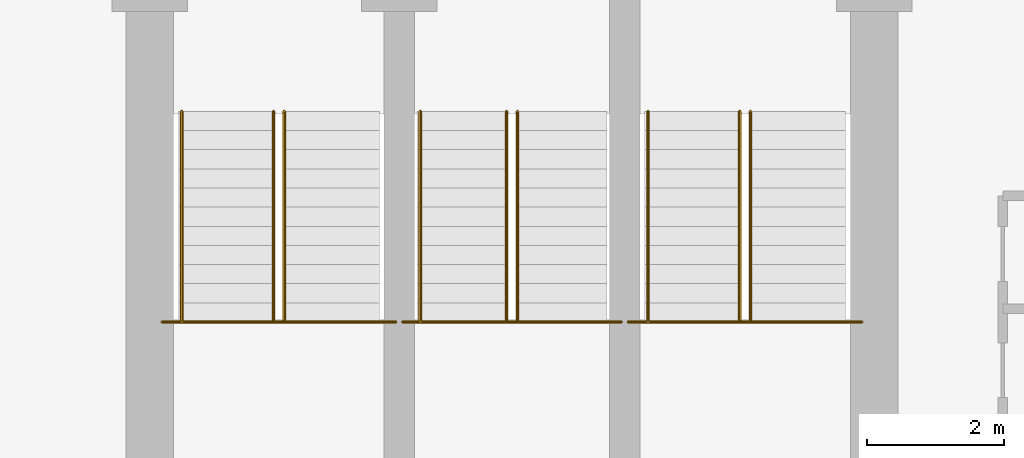
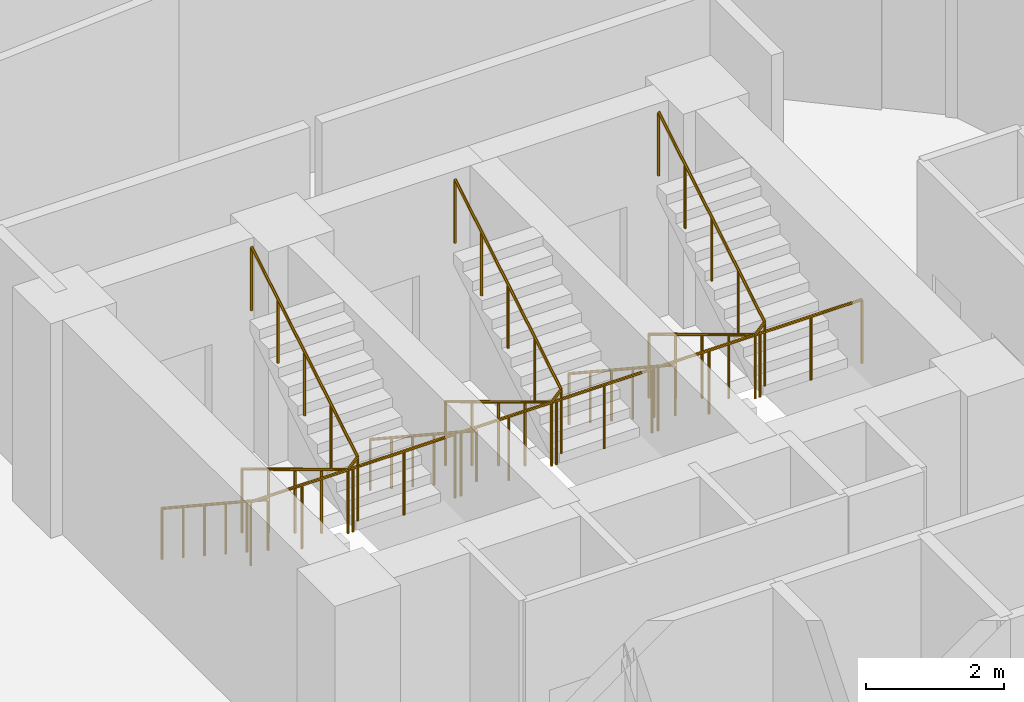
# One storey, part 25 of 25: 9 railings.
"""IFC4 building model written with IfcOpenShell, lengths in metres."""

from ifc_helpers import new_model, si_unit, direction, frame, origin, place, context, subcontext, project, spatial, polyline, outline, extrude, material, type_object, element, save


model = new_model("IFC4")

# Units and contexts
model_context = context("Model", 3, precision=1e-05, world=origin(), true_north=direction((0.0, 1.0)))
body_context = subcontext(model_context, "Body", "Model", "MODEL_VIEW")
ifc_project = project(units=[si_unit("LENGTHUNIT", "METRE"), si_unit("AREAUNIT", "SQUARE_METRE"), si_unit("VOLUMEUNIT", "CUBIC_METRE"), si_unit("PLANEANGLEUNIT", "RADIAN"), si_unit("MASSUNIT", "GRAM", prefix="KILO")], contexts=[model_context])

# Site, building, storey
site_placement = place(None, origin())
site = spatial("IfcSite", under=ifc_project, at=site_placement, CompositionType="ELEMENT")
building_placement = place(site_placement, origin())
building = spatial("IfcBuilding", under=site, at=building_placement, Name="Nuhasar Tower", CompositionType="ELEMENT")
storey_placement = place(building_placement, frame((0.0, 0.0, 65.550048828125)))
storey = spatial("IfcBuildingStorey", under=building, at=storey_placement, Name="L15", CompositionType="ELEMENT", Elevation=65.550048828125)

# Railings
ifc_material_1 = material(Name="Steel S355", Category="steel")
railing_type_1 = type_object("IfcRailingType", Name="RLG-STAIR-GUARD-1150", PredefinedType="GUARDRAIL", material=ifc_material_1)
railing_1_placement = place(storey_placement, frame((33.8798828125, 32.205078125, 2.02490234375)))
element("IfcRailing", 1, at=railing_1_placement, inside=storey, type_object=railing_type_1, Name="L15 Stair ST-01 Guardrail LND", PredefinedType="GUARDRAIL", context=body_context, shape_type="SweptSolid", body=[
    extrude(outline(polyline([(0.024169921875, 0.0), (0.01708984375, 0.01708984375), (0.0, 0.024169921875), (-0.01708984375, 0.01708984375), (-0.024169921875, 0.0), (-0.01708984375, -0.01708984375), (0.0, -0.024169921875), (0.01708984375, -0.01708984375), (0.024169921875, 0.0)])), frame((0.0, 0.0, 1.1259765625), z_axis=(1.0, 0.0, 0.0), x_axis=(0.0, 1.0, 0.0)), (0.0, 0.0, 1.0), 3.420166015625),
    extrude(outline(polyline([(0.02099609375, 0.0), (0.014892578125, 0.014892578125), (0.0, 0.02099609375), (-0.014892578125, 0.014892578125), (-0.02099609375, 0.0), (-0.014892578125, -0.014892578125), (0.0, -0.02099609375), (0.014892578125, -0.014892578125), (0.02099609375, 0.0)])), origin(), (0.0, 0.0, 1.0), 1.101806640625),
    extrude(outline(polyline([(0.02099609375, 0.0), (0.014892578125, 0.014892578125), (0.0, 0.02099609375), (-0.014892578125, 0.014892578125), (-0.02099609375, 0.0), (-0.014892578125, -0.014892578125), (0.0, -0.02099609375), (0.014892578125, -0.014892578125), (0.02099609375, 0.0)])), frame((0.85498046875, 0.0, 0.0)), (0.0, 0.0, 1.0), 1.101806640625),
    extrude(outline(polyline([(0.02099609375, 0.0), (0.014892578125, 0.014892578125), (0.0, 0.02099609375), (-0.014892578125, 0.014892578125), (-0.02099609375, 0.0), (-0.014892578125, -0.014892578125), (0.0, -0.02099609375), (0.014892578125, -0.014892578125), (0.02099609375, 0.0)])), frame((1.7099609375, 0.0, 0.0)), (0.0, 0.0, 1.0), 1.101806640625),
    extrude(outline(polyline([(0.02099609375, 0.0), (0.014892578125, 0.014892578125), (0.0, 0.02099609375), (-0.014892578125, 0.014892578125), (-0.02099609375, 0.0), (-0.014892578125, -0.014892578125), (0.0, -0.02099609375), (0.014892578125, -0.014892578125), (0.02099609375, 0.0)])), frame((2.565185546875, 0.0, 0.0)), (0.0, 0.0, 1.0), 1.101806640625),
    extrude(outline(polyline([(0.02099609375, 0.0), (0.014892578125, 0.014892578125), (0.0, 0.02099609375), (-0.014892578125, 0.014892578125), (-0.02099609375, 0.0), (-0.014892578125, -0.014892578125), (0.0, -0.02099609375), (0.014892578125, -0.014892578125), (0.02099609375, 0.0)])), frame((3.420166015625, 0.0, 0.0)), (0.0, 0.0, 1.0), 1.101806640625),
])
railing_2_placement = place(storey_placement, frame((35.510009765625, 35.284912109375, 0.1689453125)))
element("IfcRailing", 2, at=railing_2_placement, inside=storey, type_object=railing_type_1, Name="L15 Stair ST-01 Guardrail SLT", PredefinedType="GUARDRAIL", context=body_context, shape_type="SweptSolid", body=[
    extrude(outline(polyline([(0.024169921875, 0.0), (0.01708984375, 0.01708984375), (0.0, 0.024169921875), (-0.01708984375, 0.01708984375), (-0.024169921875, 0.0), (-0.01708984375, -0.01708984375), (0.0, -0.024169921875), (0.01708984375, -0.01708984375), (0.024169921875, 0.0)])), frame((0.0, 0.0, 1.1259765625), z_axis=(0.0, -0.856502863198, 0.516142272377), x_axis=(1.0, 0.0, 0.0)), (0.0, 0.0, 1.0), 3.595703125),
    extrude(outline(polyline([(0.024169921875, 0.0), (0.01708984375, 0.01708984375), (0.0, 0.024169921875), (-0.01708984375, 0.01708984375), (-0.024169921875, 0.0), (-0.01708984375, -0.01708984375), (0.0, -0.024169921875), (0.01708984375, -0.01708984375), (0.024169921875, 0.0)])), frame((0.0, -3.079833984375, 2.98193359375), z_axis=(0.687424367727, 0.0, 0.726255973232), x_axis=(0.0, 1.0, 0.0)), (0.0, 0.0, 1.0), 0.232666015625),
    extrude(outline(polyline([(0.024169921875, 0.0), (0.01708984375, 0.01708984375), (0.0, 0.024169921875), (-0.01708984375, 0.01708984375), (-0.024169921875, 0.0), (-0.01708984375, -0.01708984375), (0.0, -0.024169921875), (0.01708984375, -0.01708984375), (0.024169921875, 0.0)])), frame((0.159912109375, -3.079833984375, 3.15087890625), z_axis=(0.0, 0.8564728477, 0.51619207777), x_axis=(-1.0, 0.0, 0.0)), (0.0, 0.0, 1.0), 3.595947265625),
    extrude(outline(polyline([(0.02099609375, 0.0), (0.014892578125, 0.014892578125), (0.0, 0.02099609375), (-0.014892578125, 0.014892578125), (-0.02099609375, 0.0), (-0.014892578125, -0.014892578125), (0.0, -0.02099609375), (0.014892578125, -0.014892578125), (0.02099609375, 0.0)])), origin(), (0.0, 0.0, 1.0), 1.101806640625),
    extrude(outline(polyline([(0.02099609375, 0.0), (0.014892578125, 0.014892578125), (0.0, 0.02099609375), (-0.014892578125, 0.014892578125), (-0.02099609375, 0.0), (-0.014892578125, -0.014892578125), (0.0, -0.02099609375), (0.014892578125, -0.014892578125), (0.02099609375, 0.0)])), frame((0.0, -0.77001953125, 0.4638671875)), (0.0, 0.0, 1.0), 1.101806640625),
    extrude(outline(polyline([(0.02099609375, 0.0), (0.014892578125, 0.014892578125), (0.0, 0.02099609375), (-0.014892578125, 0.014892578125), (-0.02099609375, 0.0), (-0.014892578125, -0.014892578125), (0.0, -0.02099609375), (0.014892578125, -0.014892578125), (0.02099609375, 0.0)])), frame((0.0, -1.5400390625, 0.927978515625)), (0.0, 0.0, 1.0), 1.101806640625),
    extrude(outline(polyline([(0.02099609375, 0.0), (0.014892578125, 0.014892578125), (0.0, 0.02099609375), (-0.014892578125, 0.014892578125), (-0.02099609375, 0.0), (-0.014892578125, -0.014892578125), (0.0, -0.02099609375), (0.014892578125, -0.014892578125), (0.02099609375, 0.0)])), frame((0.0, -2.309814453125, 1.39208984375)), (0.0, 0.0, 1.0), 1.101806640625),
    extrude(outline(polyline([(0.02099609375, 0.0), (0.014892578125, 0.014892578125), (0.0, 0.02099609375), (-0.014892578125, 0.014892578125), (-0.02099609375, 0.0), (-0.014892578125, -0.014892578125), (0.0, -0.02099609375), (0.014892578125, -0.014892578125), (0.02099609375, 0.0)])), frame((0.0, -3.079833984375, 1.85595703125)), (0.0, 0.0, 1.0), 1.101806640625),
    extrude(outline(polyline([(0.02099609375, 0.0), (0.014892578125, 0.014892578125), (0.0, 0.02099609375), (-0.014892578125, 0.014892578125), (-0.02099609375, 0.0), (-0.014892578125, -0.014892578125), (0.0, -0.02099609375), (0.014892578125, -0.014892578125), (0.02099609375, 0.0)])), frame((0.159912109375, -3.079833984375, 2.02490234375)), (0.0, 0.0, 1.0), 1.101806640625),
    extrude(outline(polyline([(0.02099609375, 0.0), (0.014892578125, 0.014892578125), (0.0, 0.02099609375), (-0.014892578125, 0.014892578125), (-0.02099609375, 0.0), (-0.014892578125, -0.014892578125), (0.0, -0.02099609375), (0.014892578125, -0.014892578125), (0.02099609375, 0.0)])), frame((0.159912109375, -2.309814453125, 2.489013671875)), (0.0, 0.0, 1.0), 1.101806640625),
    extrude(outline(polyline([(0.02099609375, 0.0), (0.014892578125, 0.014892578125), (0.0, 0.02099609375), (-0.014892578125, 0.014892578125), (-0.02099609375, 0.0), (-0.014892578125, -0.014892578125), (0.0, -0.02099609375), (0.014892578125, -0.014892578125), (0.02099609375, 0.0)])), frame((0.159912109375, -1.5400390625, 2.953125)), (0.0, 0.0, 1.0), 1.101806640625),
    extrude(outline(polyline([(0.02099609375, 0.0), (0.014892578125, 0.014892578125), (0.0, 0.02099609375), (-0.014892578125, 0.014892578125), (-0.02099609375, 0.0), (-0.014892578125, -0.014892578125), (0.0, -0.02099609375), (0.014892578125, -0.014892578125), (0.02099609375, 0.0)])), frame((0.159912109375, -0.77001953125, 3.4169921875)), (0.0, 0.0, 1.0), 1.101806640625),
    extrude(outline(polyline([(0.02099609375, 0.0), (0.014892578125, 0.014892578125), (0.0, 0.02099609375), (-0.014892578125, 0.014892578125), (-0.02099609375, 0.0), (-0.014892578125, -0.014892578125), (0.0, -0.02099609375), (0.014892578125, -0.014892578125), (0.02099609375, 0.0)])), frame((0.159912109375, 0.0, 3.881103515625)), (0.0, 0.0, 1.0), 1.101806640625),
])
railing_3_placement = place(storey_placement, frame((37.39990234375, 32.205078125, 2.02490234375)))
element("IfcRailing", 3, at=railing_3_placement, inside=storey, type_object=railing_type_1, Name="L15 Stair ST-03 Guardrail LND", PredefinedType="GUARDRAIL", context=body_context, shape_type="SweptSolid", body=[
    extrude(outline(polyline([(0.024169921875, 0.0), (0.01708984375, 0.01708984375), (0.0, 0.024169921875), (-0.01708984375, 0.01708984375), (-0.024169921875, 0.0), (-0.01708984375, -0.01708984375), (0.0, -0.024169921875), (0.01708984375, -0.01708984375), (0.024169921875, 0.0)])), frame((0.0, 0.0, 1.1259765625), z_axis=(1.0, 0.0, 0.0), x_axis=(0.0, 1.0, 0.0)), (0.0, 0.0, 1.0), 3.2001953125),
    extrude(outline(polyline([(0.02099609375, 0.0), (0.014892578125, 0.014892578125), (0.0, 0.02099609375), (-0.014892578125, 0.014892578125), (-0.02099609375, 0.0), (-0.014892578125, -0.014892578125), (0.0, -0.02099609375), (0.014892578125, -0.014892578125), (0.02099609375, 0.0)])), origin(), (0.0, 0.0, 1.0), 1.101806640625),
    extrude(outline(polyline([(0.02099609375, 0.0), (0.014892578125, 0.014892578125), (0.0, 0.02099609375), (-0.014892578125, 0.014892578125), (-0.02099609375, 0.0), (-0.014892578125, -0.014892578125), (0.0, -0.02099609375), (0.014892578125, -0.014892578125), (0.02099609375, 0.0)])), frame((0.800048828125, 0.0, 0.0)), (0.0, 0.0, 1.0), 1.101806640625),
    extrude(outline(polyline([(0.02099609375, 0.0), (0.014892578125, 0.014892578125), (0.0, 0.02099609375), (-0.014892578125, 0.014892578125), (-0.02099609375, 0.0), (-0.014892578125, -0.014892578125), (0.0, -0.02099609375), (0.014892578125, -0.014892578125), (0.02099609375, 0.0)])), frame((1.60009765625, 0.0, 0.0)), (0.0, 0.0, 1.0), 1.101806640625),
    extrude(outline(polyline([(0.02099609375, 0.0), (0.014892578125, 0.014892578125), (0.0, 0.02099609375), (-0.014892578125, 0.014892578125), (-0.02099609375, 0.0), (-0.014892578125, -0.014892578125), (0.0, -0.02099609375), (0.014892578125, -0.014892578125), (0.02099609375, 0.0)])), frame((2.400146484375, 0.0, 0.0)), (0.0, 0.0, 1.0), 1.101806640625),
    extrude(outline(polyline([(0.02099609375, 0.0), (0.014892578125, 0.014892578125), (0.0, 0.02099609375), (-0.014892578125, 0.014892578125), (-0.02099609375, 0.0), (-0.014892578125, -0.014892578125), (0.0, -0.02099609375), (0.014892578125, -0.014892578125), (0.02099609375, 0.0)])), frame((3.2001953125, 0.0, 0.0)), (0.0, 0.0, 1.0), 1.101806640625),
])
railing_4_placement = place(storey_placement, frame((38.919921875, 35.284912109375, 0.1689453125)))
element("IfcRailing", 4, at=railing_4_placement, inside=storey, type_object=railing_type_1, Name="L15 Stair ST-03 Guardrail SLT", PredefinedType="GUARDRAIL", context=body_context, shape_type="SweptSolid", body=[
    extrude(outline(polyline([(0.024169921875, 0.0), (0.01708984375, 0.01708984375), (0.0, 0.024169921875), (-0.01708984375, 0.01708984375), (-0.024169921875, 0.0), (-0.01708984375, -0.01708984375), (0.0, -0.024169921875), (0.01708984375, -0.01708984375), (0.024169921875, 0.0)])), frame((0.0, 0.0, 1.1259765625), z_axis=(0.0, -0.856502863198, 0.516142272377), x_axis=(1.0, 0.0, 0.0)), (0.0, 0.0, 1.0), 3.595703125),
    extrude(outline(polyline([(0.024169921875, 0.0), (0.01708984375, 0.01708984375), (0.0, 0.024169921875), (-0.01708984375, 0.01708984375), (-0.024169921875, 0.0), (-0.01708984375, -0.01708984375), (0.0, -0.024169921875), (0.01708984375, -0.01708984375), (0.024169921875, 0.0)])), frame((0.0, -3.079833984375, 2.98193359375), z_axis=(0.687977326998, 0.0, 0.725732180309), x_axis=(0.0, 1.0, 0.0)), (0.0, 0.0, 1.0), 0.23291015625),
    extrude(outline(polyline([(0.024169921875, 0.0), (0.01708984375, 0.01708984375), (0.0, 0.024169921875), (-0.01708984375, 0.01708984375), (-0.024169921875, 0.0), (-0.01708984375, -0.01708984375), (0.0, -0.024169921875), (0.01708984375, -0.01708984375), (0.024169921875, 0.0)])), frame((0.16015625, -3.079833984375, 3.15087890625), z_axis=(0.0, 0.8564728477, 0.51619207777), x_axis=(-1.0, 0.0, 0.0)), (0.0, 0.0, 1.0), 3.595947265625),
    extrude(outline(polyline([(0.02099609375, 0.0), (0.014892578125, 0.014892578125), (0.0, 0.02099609375), (-0.014892578125, 0.014892578125), (-0.02099609375, 0.0), (-0.014892578125, -0.014892578125), (0.0, -0.02099609375), (0.014892578125, -0.014892578125), (0.02099609375, 0.0)])), origin(), (0.0, 0.0, 1.0), 1.101806640625),
    extrude(outline(polyline([(0.02099609375, 0.0), (0.014892578125, 0.014892578125), (0.0, 0.02099609375), (-0.014892578125, 0.014892578125), (-0.02099609375, 0.0), (-0.014892578125, -0.014892578125), (0.0, -0.02099609375), (0.014892578125, -0.014892578125), (0.02099609375, 0.0)])), frame((0.0, -0.77001953125, 0.4638671875)), (0.0, 0.0, 1.0), 1.101806640625),
    extrude(outline(polyline([(0.02099609375, 0.0), (0.014892578125, 0.014892578125), (0.0, 0.02099609375), (-0.014892578125, 0.014892578125), (-0.02099609375, 0.0), (-0.014892578125, -0.014892578125), (0.0, -0.02099609375), (0.014892578125, -0.014892578125), (0.02099609375, 0.0)])), frame((0.0, -1.5400390625, 0.927978515625)), (0.0, 0.0, 1.0), 1.101806640625),
    extrude(outline(polyline([(0.02099609375, 0.0), (0.014892578125, 0.014892578125), (0.0, 0.02099609375), (-0.014892578125, 0.014892578125), (-0.02099609375, 0.0), (-0.014892578125, -0.014892578125), (0.0, -0.02099609375), (0.014892578125, -0.014892578125), (0.02099609375, 0.0)])), frame((0.0, -2.309814453125, 1.39208984375)), (0.0, 0.0, 1.0), 1.101806640625),
    extrude(outline(polyline([(0.02099609375, 0.0), (0.014892578125, 0.014892578125), (0.0, 0.02099609375), (-0.014892578125, 0.014892578125), (-0.02099609375, 0.0), (-0.014892578125, -0.014892578125), (0.0, -0.02099609375), (0.014892578125, -0.014892578125), (0.02099609375, 0.0)])), frame((0.0, -3.079833984375, 1.85595703125)), (0.0, 0.0, 1.0), 1.101806640625),
    extrude(outline(polyline([(0.02099609375, 0.0), (0.014892578125, 0.014892578125), (0.0, 0.02099609375), (-0.014892578125, 0.014892578125), (-0.02099609375, 0.0), (-0.014892578125, -0.014892578125), (0.0, -0.02099609375), (0.014892578125, -0.014892578125), (0.02099609375, 0.0)])), frame((0.16015625, -3.079833984375, 2.02490234375)), (0.0, 0.0, 1.0), 1.101806640625),
    extrude(outline(polyline([(0.02099609375, 0.0), (0.014892578125, 0.014892578125), (0.0, 0.02099609375), (-0.014892578125, 0.014892578125), (-0.02099609375, 0.0), (-0.014892578125, -0.014892578125), (0.0, -0.02099609375), (0.014892578125, -0.014892578125), (0.02099609375, 0.0)])), frame((0.16015625, -2.309814453125, 2.489013671875)), (0.0, 0.0, 1.0), 1.101806640625),
    extrude(outline(polyline([(0.02099609375, 0.0), (0.014892578125, 0.014892578125), (0.0, 0.02099609375), (-0.014892578125, 0.014892578125), (-0.02099609375, 0.0), (-0.014892578125, -0.014892578125), (0.0, -0.02099609375), (0.014892578125, -0.014892578125), (0.02099609375, 0.0)])), frame((0.16015625, -1.5400390625, 2.953125)), (0.0, 0.0, 1.0), 1.101806640625),
    extrude(outline(polyline([(0.02099609375, 0.0), (0.014892578125, 0.014892578125), (0.0, 0.02099609375), (-0.014892578125, 0.014892578125), (-0.02099609375, 0.0), (-0.014892578125, -0.014892578125), (0.0, -0.02099609375), (0.014892578125, -0.014892578125), (0.02099609375, 0.0)])), frame((0.16015625, -0.77001953125, 3.4169921875)), (0.0, 0.0, 1.0), 1.101806640625),
    extrude(outline(polyline([(0.02099609375, 0.0), (0.014892578125, 0.014892578125), (0.0, 0.02099609375), (-0.014892578125, 0.014892578125), (-0.02099609375, 0.0), (-0.014892578125, -0.014892578125), (0.0, -0.02099609375), (0.014892578125, -0.014892578125), (0.02099609375, 0.0)])), frame((0.16015625, 0.0, 3.881103515625)), (0.0, 0.0, 1.0), 1.101806640625),
])
railing_5_placement = place(storey_placement, frame((40.699951171875, 32.205078125, 2.02490234375)))
element("IfcRailing", 5, at=railing_5_placement, inside=storey, type_object=railing_type_1, Name="L15 Stair ST-02 Guardrail LND", PredefinedType="GUARDRAIL", context=body_context, shape_type="SweptSolid", body=[
    extrude(outline(polyline([(0.024169921875, 0.0), (0.01708984375, 0.01708984375), (0.0, 0.024169921875), (-0.01708984375, 0.01708984375), (-0.024169921875, 0.0), (-0.01708984375, -0.01708984375), (0.0, -0.024169921875), (0.01708984375, -0.01708984375), (0.024169921875, 0.0)])), frame((0.0, 0.0, 1.1259765625), z_axis=(1.0, 0.0, 0.0), x_axis=(0.0, 1.0, 0.0)), (0.0, 0.0, 1.0), 3.420166015625),
    extrude(outline(polyline([(0.02099609375, 0.0), (0.014892578125, 0.014892578125), (0.0, 0.02099609375), (-0.014892578125, 0.014892578125), (-0.02099609375, 0.0), (-0.014892578125, -0.014892578125), (0.0, -0.02099609375), (0.014892578125, -0.014892578125), (0.02099609375, 0.0)])), origin(), (0.0, 0.0, 1.0), 1.101806640625),
    extrude(outline(polyline([(0.02099609375, 0.0), (0.014892578125, 0.014892578125), (0.0, 0.02099609375), (-0.014892578125, 0.014892578125), (-0.02099609375, 0.0), (-0.014892578125, -0.014892578125), (0.0, -0.02099609375), (0.014892578125, -0.014892578125), (0.02099609375, 0.0)])), frame((0.85498046875, 0.0, 0.0)), (0.0, 0.0, 1.0), 1.101806640625),
    extrude(outline(polyline([(0.02099609375, 0.0), (0.014892578125, 0.014892578125), (0.0, 0.02099609375), (-0.014892578125, 0.014892578125), (-0.02099609375, 0.0), (-0.014892578125, -0.014892578125), (0.0, -0.02099609375), (0.014892578125, -0.014892578125), (0.02099609375, 0.0)])), frame((1.7099609375, 0.0, 0.0)), (0.0, 0.0, 1.0), 1.101806640625),
    extrude(outline(polyline([(0.02099609375, 0.0), (0.014892578125, 0.014892578125), (0.0, 0.02099609375), (-0.014892578125, 0.014892578125), (-0.02099609375, 0.0), (-0.014892578125, -0.014892578125), (0.0, -0.02099609375), (0.014892578125, -0.014892578125), (0.02099609375, 0.0)])), frame((2.565185546875, 0.0, 0.0)), (0.0, 0.0, 1.0), 1.101806640625),
    extrude(outline(polyline([(0.02099609375, 0.0), (0.014892578125, 0.014892578125), (0.0, 0.02099609375), (-0.014892578125, 0.014892578125), (-0.02099609375, 0.0), (-0.014892578125, -0.014892578125), (0.0, -0.02099609375), (0.014892578125, -0.014892578125), (0.02099609375, 0.0)])), frame((3.420166015625, 0.0, 0.0)), (0.0, 0.0, 1.0), 1.101806640625),
])
railing_6_placement = place(storey_placement, frame((42.330078125, 35.284912109375, 0.1689453125)))
element("IfcRailing", 6, at=railing_6_placement, inside=storey, type_object=railing_type_1, Name="L15 Stair ST-02 Guardrail SLT", PredefinedType="GUARDRAIL", context=body_context, shape_type="SweptSolid", body=[
    extrude(outline(polyline([(0.024169921875, 0.0), (0.01708984375, 0.01708984375), (0.0, 0.024169921875), (-0.01708984375, 0.01708984375), (-0.024169921875, 0.0), (-0.01708984375, -0.01708984375), (0.0, -0.024169921875), (0.01708984375, -0.01708984375), (0.024169921875, 0.0)])), frame((0.0, 0.0, 1.1259765625), z_axis=(0.0, -0.856502863198, 0.516142272377), x_axis=(1.0, 0.0, 0.0)), (0.0, 0.0, 1.0), 3.595703125),
    extrude(outline(polyline([(0.024169921875, 0.0), (0.01708984375, 0.01708984375), (0.0, 0.024169921875), (-0.01708984375, 0.01708984375), (-0.024169921875, 0.0), (-0.01708984375, -0.01708984375), (0.0, -0.024169921875), (0.01708984375, -0.01708984375), (0.024169921875, 0.0)])), frame((0.0, -3.079833984375, 2.98193359375), z_axis=(0.687424367727, 0.0, 0.726255973232), x_axis=(0.0, 1.0, 0.0)), (0.0, 0.0, 1.0), 0.232666015625),
    extrude(outline(polyline([(0.024169921875, 0.0), (0.01708984375, 0.01708984375), (0.0, 0.024169921875), (-0.01708984375, 0.01708984375), (-0.024169921875, 0.0), (-0.01708984375, -0.01708984375), (0.0, -0.024169921875), (0.01708984375, -0.01708984375), (0.024169921875, 0.0)])), frame((0.159912109375, -3.079833984375, 3.15087890625), z_axis=(0.0, 0.8564728477, 0.51619207777), x_axis=(-1.0, 0.0, 0.0)), (0.0, 0.0, 1.0), 3.595947265625),
    extrude(outline(polyline([(0.02099609375, 0.0), (0.014892578125, 0.014892578125), (0.0, 0.02099609375), (-0.014892578125, 0.014892578125), (-0.02099609375, 0.0), (-0.014892578125, -0.014892578125), (0.0, -0.02099609375), (0.014892578125, -0.014892578125), (0.02099609375, 0.0)])), origin(), (0.0, 0.0, 1.0), 1.101806640625),
    extrude(outline(polyline([(0.02099609375, 0.0), (0.014892578125, 0.014892578125), (0.0, 0.02099609375), (-0.014892578125, 0.014892578125), (-0.02099609375, 0.0), (-0.014892578125, -0.014892578125), (0.0, -0.02099609375), (0.014892578125, -0.014892578125), (0.02099609375, 0.0)])), frame((0.0, -0.77001953125, 0.4638671875)), (0.0, 0.0, 1.0), 1.101806640625),
    extrude(outline(polyline([(0.02099609375, 0.0), (0.014892578125, 0.014892578125), (0.0, 0.02099609375), (-0.014892578125, 0.014892578125), (-0.02099609375, 0.0), (-0.014892578125, -0.014892578125), (0.0, -0.02099609375), (0.014892578125, -0.014892578125), (0.02099609375, 0.0)])), frame((0.0, -1.5400390625, 0.927978515625)), (0.0, 0.0, 1.0), 1.101806640625),
    extrude(outline(polyline([(0.02099609375, 0.0), (0.014892578125, 0.014892578125), (0.0, 0.02099609375), (-0.014892578125, 0.014892578125), (-0.02099609375, 0.0), (-0.014892578125, -0.014892578125), (0.0, -0.02099609375), (0.014892578125, -0.014892578125), (0.02099609375, 0.0)])), frame((0.0, -2.309814453125, 1.39208984375)), (0.0, 0.0, 1.0), 1.101806640625),
    extrude(outline(polyline([(0.02099609375, 0.0), (0.014892578125, 0.014892578125), (0.0, 0.02099609375), (-0.014892578125, 0.014892578125), (-0.02099609375, 0.0), (-0.014892578125, -0.014892578125), (0.0, -0.02099609375), (0.014892578125, -0.014892578125), (0.02099609375, 0.0)])), frame((0.0, -3.079833984375, 1.85595703125)), (0.0, 0.0, 1.0), 1.101806640625),
    extrude(outline(polyline([(0.02099609375, 0.0), (0.014892578125, 0.014892578125), (0.0, 0.02099609375), (-0.014892578125, 0.014892578125), (-0.02099609375, 0.0), (-0.014892578125, -0.014892578125), (0.0, -0.02099609375), (0.014892578125, -0.014892578125), (0.02099609375, 0.0)])), frame((0.159912109375, -3.079833984375, 2.02490234375)), (0.0, 0.0, 1.0), 1.101806640625),
    extrude(outline(polyline([(0.02099609375, 0.0), (0.014892578125, 0.014892578125), (0.0, 0.02099609375), (-0.014892578125, 0.014892578125), (-0.02099609375, 0.0), (-0.014892578125, -0.014892578125), (0.0, -0.02099609375), (0.014892578125, -0.014892578125), (0.02099609375, 0.0)])), frame((0.159912109375, -2.309814453125, 2.489013671875)), (0.0, 0.0, 1.0), 1.101806640625),
    extrude(outline(polyline([(0.02099609375, 0.0), (0.014892578125, 0.014892578125), (0.0, 0.02099609375), (-0.014892578125, 0.014892578125), (-0.02099609375, 0.0), (-0.014892578125, -0.014892578125), (0.0, -0.02099609375), (0.014892578125, -0.014892578125), (0.02099609375, 0.0)])), frame((0.159912109375, -1.5400390625, 2.953125)), (0.0, 0.0, 1.0), 1.101806640625),
    extrude(outline(polyline([(0.02099609375, 0.0), (0.014892578125, 0.014892578125), (0.0, 0.02099609375), (-0.014892578125, 0.014892578125), (-0.02099609375, 0.0), (-0.014892578125, -0.014892578125), (0.0, -0.02099609375), (0.014892578125, -0.014892578125), (0.02099609375, 0.0)])), frame((0.159912109375, -0.77001953125, 3.4169921875)), (0.0, 0.0, 1.0), 1.101806640625),
    extrude(outline(polyline([(0.02099609375, 0.0), (0.014892578125, 0.014892578125), (0.0, 0.02099609375), (-0.014892578125, 0.014892578125), (-0.02099609375, 0.0), (-0.014892578125, -0.014892578125), (0.0, -0.02099609375), (0.014892578125, -0.014892578125), (0.02099609375, 0.0)])), frame((0.159912109375, 0.0, 3.881103515625)), (0.0, 0.0, 1.0), 1.101806640625),
])
ifc_material_2 = material(Name="Stainless Steel 316L", Category="steel")
railing_type_2 = type_object("IfcRailingType", Name="RLG-STAIR-HAND-920", PredefinedType="HANDRAIL", material=ifc_material_2)
railing_7_placement = place(storey_placement, frame((34.169921875, 35.284912109375, 0.1689453125)))
element("IfcRailing", 7, at=railing_7_placement, inside=storey, type_object=railing_type_2, Name="L15 Stair ST-01 Handrail HND1", PredefinedType="HANDRAIL", context=body_context, shape_type="SweptSolid", body=[
    extrude(outline(polyline([(0.024169921875, 0.0), (0.01708984375, 0.01708984375), (0.0, 0.024169921875), (-0.01708984375, 0.01708984375), (-0.024169921875, 0.0), (-0.01708984375, -0.01708984375), (0.0, -0.024169921875), (0.01708984375, -0.01708984375), (0.024169921875, 0.0)])), frame((0.0, 0.0, 0.89599609375), z_axis=(0.0, -0.83557951683, 0.54936952141), x_axis=(1.0, 0.0, 0.0)), (0.0, 0.0, 1.0), 3.685791015625),
    extrude(outline(polyline([(0.02099609375, 0.0), (0.014892578125, 0.014892578125), (0.0, 0.02099609375), (-0.014892578125, 0.014892578125), (-0.02099609375, 0.0), (-0.014892578125, -0.014892578125), (0.0, -0.02099609375), (0.014892578125, -0.014892578125), (0.02099609375, 0.0)])), origin(), (0.0, 0.0, 1.0), 0.871826171875),
    extrude(outline(polyline([(0.02099609375, 0.0), (0.014892578125, 0.014892578125), (0.0, 0.02099609375), (-0.014892578125, 0.014892578125), (-0.02099609375, 0.0), (-0.014892578125, -0.014892578125), (0.0, -0.02099609375), (0.014892578125, -0.014892578125), (0.02099609375, 0.0)])), frame((0.0, -0.615966796875, 0.405029296875)), (0.0, 0.0, 1.0), 0.871826171875),
    extrude(outline(polyline([(0.02099609375, 0.0), (0.014892578125, 0.014892578125), (0.0, 0.02099609375), (-0.014892578125, 0.014892578125), (-0.02099609375, 0.0), (-0.014892578125, -0.014892578125), (0.0, -0.02099609375), (0.014892578125, -0.014892578125), (0.02099609375, 0.0)])), frame((0.0, -1.23193359375, 0.81005859375)), (0.0, 0.0, 1.0), 0.871826171875),
    extrude(outline(polyline([(0.02099609375, 0.0), (0.014892578125, 0.014892578125), (0.0, 0.02099609375), (-0.014892578125, 0.014892578125), (-0.02099609375, 0.0), (-0.014892578125, -0.014892578125), (0.0, -0.02099609375), (0.014892578125, -0.014892578125), (0.02099609375, 0.0)])), frame((0.0, -1.847900390625, 1.21484375)), (0.0, 0.0, 1.0), 0.871826171875),
    extrude(outline(polyline([(0.02099609375, 0.0), (0.014892578125, 0.014892578125), (0.0, 0.02099609375), (-0.014892578125, 0.014892578125), (-0.02099609375, 0.0), (-0.014892578125, -0.014892578125), (0.0, -0.02099609375), (0.014892578125, -0.014892578125), (0.02099609375, 0.0)])), frame((0.0, -2.4638671875, 1.619873046875)), (0.0, 0.0, 1.0), 0.871826171875),
    extrude(outline(polyline([(0.02099609375, 0.0), (0.014892578125, 0.014892578125), (0.0, 0.02099609375), (-0.014892578125, 0.014892578125), (-0.02099609375, 0.0), (-0.014892578125, -0.014892578125), (0.0, -0.02099609375), (0.014892578125, -0.014892578125), (0.02099609375, 0.0)])), frame((0.0, -3.079833984375, 2.02490234375)), (0.0, 0.0, 1.0), 0.871826171875),
])
railing_8_placement = place(storey_placement, frame((37.659912109375, 35.284912109375, 0.1689453125)))
element("IfcRailing", 8, at=railing_8_placement, inside=storey, type_object=railing_type_2, Name="L15 Stair ST-03 Handrail HND1", PredefinedType="HANDRAIL", context=body_context, shape_type="SweptSolid", body=[
    extrude(outline(polyline([(0.024169921875, 0.0), (0.01708984375, 0.01708984375), (0.0, 0.024169921875), (-0.01708984375, 0.01708984375), (-0.024169921875, 0.0), (-0.01708984375, -0.01708984375), (0.0, -0.024169921875), (0.01708984375, -0.01708984375), (0.024169921875, 0.0)])), frame((0.0, 0.0, 0.89599609375), z_axis=(0.0, -0.83557951683, 0.54936952141), x_axis=(1.0, 0.0, 0.0)), (0.0, 0.0, 1.0), 3.685791015625),
    extrude(outline(polyline([(0.02099609375, 0.0), (0.014892578125, 0.014892578125), (0.0, 0.02099609375), (-0.014892578125, 0.014892578125), (-0.02099609375, 0.0), (-0.014892578125, -0.014892578125), (0.0, -0.02099609375), (0.014892578125, -0.014892578125), (0.02099609375, 0.0)])), origin(), (0.0, 0.0, 1.0), 0.871826171875),
    extrude(outline(polyline([(0.02099609375, 0.0), (0.014892578125, 0.014892578125), (0.0, 0.02099609375), (-0.014892578125, 0.014892578125), (-0.02099609375, 0.0), (-0.014892578125, -0.014892578125), (0.0, -0.02099609375), (0.014892578125, -0.014892578125), (0.02099609375, 0.0)])), frame((0.0, -0.615966796875, 0.405029296875)), (0.0, 0.0, 1.0), 0.871826171875),
    extrude(outline(polyline([(0.02099609375, 0.0), (0.014892578125, 0.014892578125), (0.0, 0.02099609375), (-0.014892578125, 0.014892578125), (-0.02099609375, 0.0), (-0.014892578125, -0.014892578125), (0.0, -0.02099609375), (0.014892578125, -0.014892578125), (0.02099609375, 0.0)])), frame((0.0, -1.23193359375, 0.81005859375)), (0.0, 0.0, 1.0), 0.871826171875),
    extrude(outline(polyline([(0.02099609375, 0.0), (0.014892578125, 0.014892578125), (0.0, 0.02099609375), (-0.014892578125, 0.014892578125), (-0.02099609375, 0.0), (-0.014892578125, -0.014892578125), (0.0, -0.02099609375), (0.014892578125, -0.014892578125), (0.02099609375, 0.0)])), frame((0.0, -1.847900390625, 1.21484375)), (0.0, 0.0, 1.0), 0.871826171875),
    extrude(outline(polyline([(0.02099609375, 0.0), (0.014892578125, 0.014892578125), (0.0, 0.02099609375), (-0.014892578125, 0.014892578125), (-0.02099609375, 0.0), (-0.014892578125, -0.014892578125), (0.0, -0.02099609375), (0.014892578125, -0.014892578125), (0.02099609375, 0.0)])), frame((0.0, -2.4638671875, 1.619873046875)), (0.0, 0.0, 1.0), 0.871826171875),
    extrude(outline(polyline([(0.02099609375, 0.0), (0.014892578125, 0.014892578125), (0.0, 0.02099609375), (-0.014892578125, 0.014892578125), (-0.02099609375, 0.0), (-0.014892578125, -0.014892578125), (0.0, -0.02099609375), (0.014892578125, -0.014892578125), (0.02099609375, 0.0)])), frame((0.0, -3.079833984375, 2.02490234375)), (0.0, 0.0, 1.0), 0.871826171875),
])
railing_9_placement = place(storey_placement, frame((40.989990234375, 35.284912109375, 0.1689453125)))
element("IfcRailing", 9, at=railing_9_placement, inside=storey, type_object=railing_type_2, Name="L15 Stair ST-02 Handrail HND1", PredefinedType="HANDRAIL", context=body_context, shape_type="SweptSolid", body=[
    extrude(outline(polyline([(0.024169921875, 0.0), (0.01708984375, 0.01708984375), (0.0, 0.024169921875), (-0.01708984375, 0.01708984375), (-0.024169921875, 0.0), (-0.01708984375, -0.01708984375), (0.0, -0.024169921875), (0.01708984375, -0.01708984375), (0.024169921875, 0.0)])), frame((0.0, 0.0, 0.89599609375), z_axis=(0.0, -0.83557951683, 0.54936952141), x_axis=(1.0, 0.0, 0.0)), (0.0, 0.0, 1.0), 3.685791015625),
    extrude(outline(polyline([(0.02099609375, 0.0), (0.014892578125, 0.014892578125), (0.0, 0.02099609375), (-0.014892578125, 0.014892578125), (-0.02099609375, 0.0), (-0.014892578125, -0.014892578125), (0.0, -0.02099609375), (0.014892578125, -0.014892578125), (0.02099609375, 0.0)])), origin(), (0.0, 0.0, 1.0), 0.871826171875),
    extrude(outline(polyline([(0.02099609375, 0.0), (0.014892578125, 0.014892578125), (0.0, 0.02099609375), (-0.014892578125, 0.014892578125), (-0.02099609375, 0.0), (-0.014892578125, -0.014892578125), (0.0, -0.02099609375), (0.014892578125, -0.014892578125), (0.02099609375, 0.0)])), frame((0.0, -0.615966796875, 0.405029296875)), (0.0, 0.0, 1.0), 0.871826171875),
    extrude(outline(polyline([(0.02099609375, 0.0), (0.014892578125, 0.014892578125), (0.0, 0.02099609375), (-0.014892578125, 0.014892578125), (-0.02099609375, 0.0), (-0.014892578125, -0.014892578125), (0.0, -0.02099609375), (0.014892578125, -0.014892578125), (0.02099609375, 0.0)])), frame((0.0, -1.23193359375, 0.81005859375)), (0.0, 0.0, 1.0), 0.871826171875),
    extrude(outline(polyline([(0.02099609375, 0.0), (0.014892578125, 0.014892578125), (0.0, 0.02099609375), (-0.014892578125, 0.014892578125), (-0.02099609375, 0.0), (-0.014892578125, -0.014892578125), (0.0, -0.02099609375), (0.014892578125, -0.014892578125), (0.02099609375, 0.0)])), frame((0.0, -1.847900390625, 1.21484375)), (0.0, 0.0, 1.0), 0.871826171875),
    extrude(outline(polyline([(0.02099609375, 0.0), (0.014892578125, 0.014892578125), (0.0, 0.02099609375), (-0.014892578125, 0.014892578125), (-0.02099609375, 0.0), (-0.014892578125, -0.014892578125), (0.0, -0.02099609375), (0.014892578125, -0.014892578125), (0.02099609375, 0.0)])), frame((0.0, -2.4638671875, 1.619873046875)), (0.0, 0.0, 1.0), 0.871826171875),
    extrude(outline(polyline([(0.02099609375, 0.0), (0.014892578125, 0.014892578125), (0.0, 0.02099609375), (-0.014892578125, 0.014892578125), (-0.02099609375, 0.0), (-0.014892578125, -0.014892578125), (0.0, -0.02099609375), (0.014892578125, -0.014892578125), (0.02099609375, 0.0)])), frame((0.0, -3.079833984375, 2.02490234375)), (0.0, 0.0, 1.0), 0.871826171875),
])

save(model, "model.ifc")
